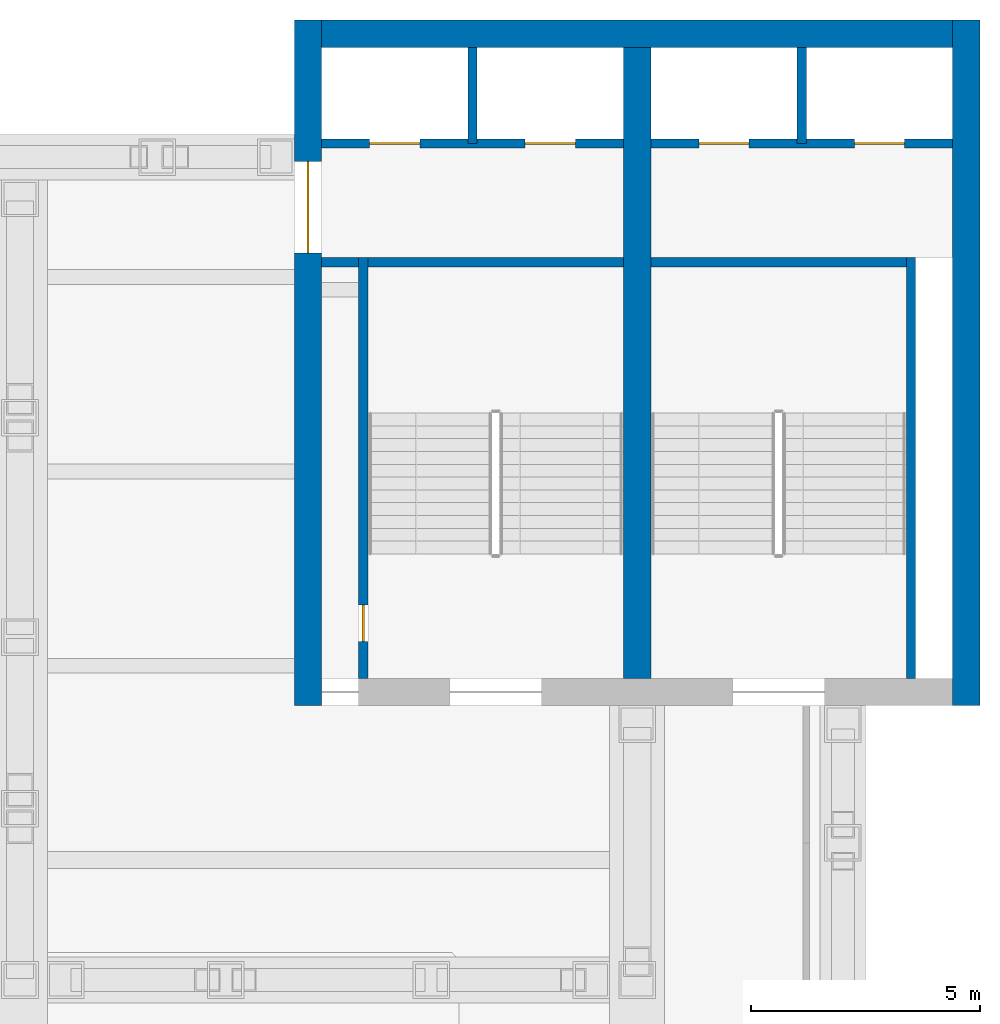
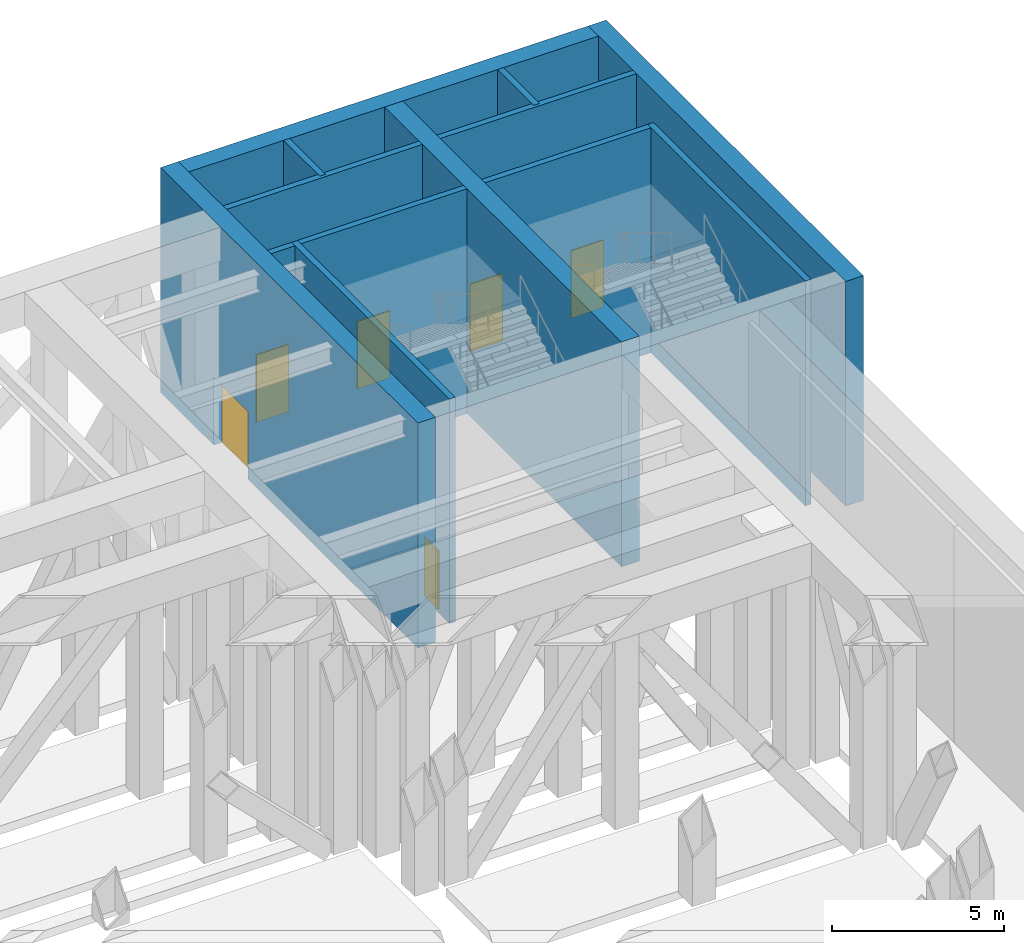
# One storey, part 11 of 20: 13 walls, 6 doors, 6 openings.
"""IFC4 building model written with IfcOpenShell, lengths in metres."""

from ifc_helpers import new_model, si_unit, direction, frame, frame_2d, origin, place, context, subcontext, project, spatial, rectangle, extrude, material, layer, layer_set, type_object, element, fill, save


model = new_model("IFC4")

# Units and contexts
model_context = context("Model", 3, precision=1e-05, world=origin(), true_north=direction((0.0, 1.0)))
body_context = subcontext(model_context, "Body", "Model", "MODEL_VIEW")
ifc_project = project(units=[si_unit("LENGTHUNIT", "METRE"), si_unit("AREAUNIT", "SQUARE_METRE"), si_unit("VOLUMEUNIT", "CUBIC_METRE"), si_unit("PLANEANGLEUNIT", "RADIAN"), si_unit("MASSUNIT", "GRAM", prefix="KILO")], contexts=[model_context])

# Site, building, storey
site_placement = place(None, origin())
site = spatial("IfcSite", under=ifc_project, at=site_placement, CompositionType="ELEMENT")
building_placement = place(site_placement, origin())
building = spatial("IfcBuilding", under=site, at=building_placement, Name="Corbelhall Arena Tower", CompositionType="ELEMENT")
storey_placement = place(building_placement, frame((0.0, 0.0, 52.0)))
storey = spatial("IfcBuildingStorey", under=building, at=storey_placement, Name="L07", CompositionType="ELEMENT", Elevation=52.0)

# Wall
ifc_material_1 = material(Name="Gypsum board on steel studs", Category="steel")
ifc_layer_1 = layer(ifc_material_1, 0.199951171875)
ifc_layer_set_1 = layer_set([ifc_layer_1], Name="AR-ROOM-WALL")
wall_type_1 = type_object("IfcWallType", Name="AR-ROOM-WALL", PredefinedType="PARTITIONING", material=ifc_layer_set_1)
wall_1_placement = place(storey_placement, frame((33.60009765625, 33.699951171875, 0.0), z_axis=(0.0, 0.0, 1.0), x_axis=(1.0, 0.0, 0.0)))
element("IfcWall", 1, at=wall_1_placement, inside=storey, type_object=wall_type_1, Name="Mechanical plant room 01 wall", PredefinedType="PARTITIONING", context=body_context, shape_type="SweptSolid", body=[
    extrude(rectangle(XDim=0.809814453125, YDim=0.199951171875, at=frame_2d((0.40478515625, 0.0))), origin(), (0.0, 0.0, 1.0), 8.0),
])

# Wall, openings, doors
ifc_material_2 = material(Name="Reinforced concrete C40/50", Category="concrete")
ifc_layer_2 = layer(ifc_material_2, 0.199951171875)
ifc_layer_set_2 = layer_set([ifc_layer_2], Name="AR-SHAFT-WALL")
wall_type_2 = type_object("IfcWallType", Name="AR-SHAFT-WALL", PredefinedType="SHEAR", material=ifc_layer_set_2)
wall_2_placement = place(storey_placement, frame((33.60009765625, 36.300048828125, 0.0), z_axis=(0.0, 0.0, 1.0), x_axis=(1.0, 0.0, 0.0)))
wall_2 = element("IfcWall", 2, at=wall_2_placement, inside=storey, type_object=wall_type_2, Name="Lift lobby wall NE", PredefinedType="SHEAR", context=body_context, shape_type="SweptSolid", body=[
    extrude(rectangle(XDim=6.599853515625, YDim=0.199951171875, at=frame_2d((3.2998046875, 0.0))), origin(), (0.0, 0.0, 1.0), 8.0),
])
opening_1_placement = place(wall_2_placement, frame((1.050048828125, 0.0, 0.0)))
opening_1 = element("IfcOpeningElement", 3, at=opening_1_placement, cuts=wall_2, Name="Opening LD0152", PredefinedType="OPENING", context=body_context, shape_type="SweptSolid", body=[
    extrude(rectangle(XDim=1.10009765625, YDim=2.39990234375, at=frame_2d((0.550048828125, 1.199951171875))), frame((0.0, 0.10009765625, 0.0), z_axis=(0.0, -1.0, 0.0), x_axis=(1.0, 0.0, 0.0)), (0.0, 0.0, 1.0), 0.199951171875),
])
opening_2_placement = place(wall_2_placement, frame((4.449951171875, 0.0, 0.0)))
opening_2 = element("IfcOpeningElement", 4, at=opening_2_placement, cuts=wall_2, Name="Opening LD0153", PredefinedType="OPENING", context=body_context, shape_type="SweptSolid", body=[
    extrude(rectangle(XDim=1.10009765625, YDim=2.39990234375, at=frame_2d((0.550048828125, 1.199951171875))), frame((0.0, 0.10009765625, 0.0), z_axis=(0.0, -1.0, 0.0), x_axis=(1.0, 0.0, 0.0)), (0.0, 0.0, 1.0), 0.199951171875),
])
ifc_material_3 = material(Name="Stainless steel A4", Category="steel")
door_type_1 = type_object("IfcDoorType", Name="AR-LANDING-DOOR", OperationType="DOUBLE_DOOR_SLIDING", PredefinedType="DOOR", material=ifc_material_3)
door_1_placement = place(opening_1_placement, origin())
door_1 = element("IfcDoor", 5, at=door_1_placement, inside=storey, type_object=door_type_1, Name="Landing door NE LF1 L07", OperationType="DOUBLE_DOOR_SLIDING", OverallHeight=2.39990234375, OverallWidth=1.10009765625, PredefinedType="DOOR", context=body_context, shape_type="SweptSolid", body=[
    extrude(rectangle(XDim=1.10009765625, YDim=2.39990234375, at=frame_2d((0.550048828125, 1.199951171875))), frame((0.0, 0.02490234375, 0.0), z_axis=(0.0, -1.0, 0.0), x_axis=(1.0, 0.0, 0.0)), (0.0, 0.0, 1.0), 0.050048828125),
])
fill(opening_1, door_1)
door_2_placement = place(opening_2_placement, origin())
door_2 = element("IfcDoor", 6, at=door_2_placement, inside=storey, type_object=door_type_1, Name="Landing door NE LF2 L07", OperationType="DOUBLE_DOOR_SLIDING", OverallHeight=2.39990234375, OverallWidth=1.10009765625, PredefinedType="DOOR", context=body_context, shape_type="SweptSolid", body=[
    extrude(rectangle(XDim=1.10009765625, YDim=2.39990234375, at=frame_2d((0.550048828125, 1.199951171875))), frame((0.0, 0.02490234375, 0.0), z_axis=(0.0, -1.0, 0.0), x_axis=(1.0, 0.0, 0.0)), (0.0, 0.0, 1.0), 0.050048828125),
])
fill(opening_2, door_2)

wall_3_placement = place(storey_placement, frame((40.800048828125, 36.300048828125, 0.0), z_axis=(0.0, 0.0, 1.0), x_axis=(1.0, 0.0, 0.0)))
wall_3 = element("IfcWall", 7, at=wall_3_placement, inside=storey, type_object=wall_type_2, Name="Lift lobby wall NE", PredefinedType="SHEAR", context=body_context, shape_type="SweptSolid", body=[
    extrude(rectangle(XDim=6.599853515625, YDim=0.199951171875, at=frame_2d((3.2998046875, 0.0))), origin(), (0.0, 0.0, 1.0), 8.0),
])
opening_3_placement = place(wall_3_placement, frame((1.050048828125, 0.0, 0.0)))
opening_3 = element("IfcOpeningElement", 8, at=opening_3_placement, cuts=wall_3, Name="Opening LD0154", PredefinedType="OPENING", context=body_context, shape_type="SweptSolid", body=[
    extrude(rectangle(XDim=1.10009765625, YDim=2.39990234375, at=frame_2d((0.550048828125, 1.199951171875))), frame((0.0, 0.10009765625, 0.0), z_axis=(0.0, -1.0, 0.0), x_axis=(1.0, 0.0, 0.0)), (0.0, 0.0, 1.0), 0.199951171875),
])
opening_4_placement = place(wall_3_placement, frame((4.449951171875, 0.0, 0.0)))
opening_4 = element("IfcOpeningElement", 9, at=opening_4_placement, cuts=wall_3, Name="Opening LD0155", PredefinedType="OPENING", context=body_context, shape_type="SweptSolid", body=[
    extrude(rectangle(XDim=1.10009765625, YDim=2.39990234375, at=frame_2d((0.550048828125, 1.199951171875))), frame((0.0, 0.10009765625, 0.0), z_axis=(0.0, -1.0, 0.0), x_axis=(1.0, 0.0, 0.0)), (0.0, 0.0, 1.0), 0.199951171875),
])
door_3_placement = place(opening_3_placement, origin())
door_3 = element("IfcDoor", 10, at=door_3_placement, inside=storey, type_object=door_type_1, Name="Landing door NE LF3 L07", OperationType="DOUBLE_DOOR_SLIDING", OverallHeight=2.39990234375, OverallWidth=1.10009765625, PredefinedType="DOOR", context=body_context, shape_type="SweptSolid", body=[
    extrude(rectangle(XDim=1.10009765625, YDim=2.39990234375, at=frame_2d((0.550048828125, 1.199951171875))), frame((0.0, 0.02490234375, 0.0), z_axis=(0.0, -1.0, 0.0), x_axis=(1.0, 0.0, 0.0)), (0.0, 0.0, 1.0), 0.050048828125),
])
fill(opening_3, door_3)
door_4_placement = place(opening_4_placement, origin())
door_4 = element("IfcDoor", 11, at=door_4_placement, inside=storey, type_object=door_type_1, Name="Landing door NE LF4 L07", OperationType="DOUBLE_DOOR_SLIDING", OverallHeight=2.39990234375, OverallWidth=1.10009765625, PredefinedType="DOOR", context=body_context, shape_type="SweptSolid", body=[
    extrude(rectangle(XDim=1.10009765625, YDim=2.39990234375, at=frame_2d((0.550048828125, 1.199951171875))), frame((0.0, 0.02490234375, 0.0), z_axis=(0.0, -1.0, 0.0), x_axis=(1.0, 0.0, 0.0)), (0.0, 0.0, 1.0), 0.050048828125),
])
fill(opening_4, door_4)

# Walls
for number, where, z_axis, x_axis, name in (
    (12, (36.89990234375, 36.300048828125, 0.0), (0.0, 0.0, 1.0), (0.0, 1.0, 0.0), "Shaft wall NE"),
    (13, (44.10009765625, 36.300048828125, 0.0), (0.0, 0.0, 1.0), (0.0, 1.0, 0.0), "Shaft wall NE"),
):
    element("IfcWall", number, at=place(storey_placement, frame(where, z_axis=z_axis, x_axis=x_axis)), inside=storey, type_object=wall_type_2, Name=name, PredefinedType="SHEAR", context=body_context, shape_type="SweptSolid", body=[
        extrude(rectangle(XDim=2.099853515625, YDim=0.199951171875, at=frame_2d((1.0498046875, 0.0))), origin(), (0.0, 0.0, 1.0), 8.0),
    ])

# Wall, opening, door
ifc_layer_3 = layer(ifc_material_2, 0.199951171875)
ifc_layer_set_3 = layer_set([ifc_layer_3], Name="AR-STAIR-WALL")
wall_type_3 = type_object("IfcWallType", Name="AR-STAIR-WALL", PredefinedType="SOLIDWALL", material=ifc_layer_set_3)
wall_4_placement = place(storey_placement, frame((34.510009765625, 24.60009765625, 0.0), z_axis=(0.0, 0.0, 1.0), x_axis=(0.0, 1.0, 0.0)))
wall_4 = element("IfcWall", 14, at=wall_4_placement, inside=storey, type_object=wall_type_3, Name="Stair AS1 wall", PredefinedType="SOLIDWALL", context=body_context, shape_type="SweptSolid", body=[
    extrude(rectangle(XDim=9.199951171875, YDim=0.199951171875, at=frame_2d((4.60009765625, 0.0))), origin(), (0.0, 0.0, 1.0), 8.0),
])
opening_5_placement = place(wall_4_placement, frame((0.800048828125, 0.0, 0.0)))
opening_5 = element("IfcOpeningElement", 15, at=opening_5_placement, cuts=wall_4, Name="Opening DA0468", PredefinedType="OPENING", context=body_context, shape_type="SweptSolid", body=[
    extrude(rectangle(XDim=0.800048828125, YDim=2.10009765625, at=frame_2d((0.39990234375, 1.050048828125))), frame((0.0, 0.10009765625, 0.0), z_axis=(0.0, -1.0, 0.0), x_axis=(1.0, 0.0, 0.0)), (0.0, 0.0, 1.0), 0.199951171875),
])
ifc_material_4 = material(Name="Steel", Category="steel")
door_type_2 = type_object("IfcDoorType", Name="AR-PLANT-DOOR", OperationType="SINGLE_SWING_LEFT", PredefinedType="DOOR", material=ifc_material_4)
door_5_placement = place(opening_5_placement, origin())
door_5 = element("IfcDoor", 16, at=door_5_placement, inside=storey, type_object=door_type_2, Name="Mechanical plant room 01 stair door", OperationType="SINGLE_SWING_LEFT", OverallHeight=2.10009765625, OverallWidth=0.800048828125, PredefinedType="DOOR", context=body_context, shape_type="SweptSolid", body=[
    extrude(rectangle(XDim=0.800048828125, YDim=2.10009765625, at=frame_2d((0.39990234375, 1.050048828125))), frame((0.0, 0.02490234375, 0.0), z_axis=(0.0, -1.0, 0.0), x_axis=(1.0, 0.0, 0.0)), (0.0, 0.0, 1.0), 0.050048828125),
])
fill(opening_5, door_5)

# Walls
wall_5_placement = place(storey_placement, frame((34.610107421875, 33.699951171875, 0.0), z_axis=(0.0, 0.0, 1.0), x_axis=(1.0, 0.0, 0.0)))
element("IfcWall", 17, at=wall_5_placement, inside=storey, type_object=wall_type_3, Name="Stair AS1 wall", PredefinedType="SOLIDWALL", context=body_context, shape_type="SweptSolid", body=[
    extrude(rectangle(XDim=5.58984375, YDim=0.199951171875, at=frame_2d((2.794921875, 0.0))), origin(), (0.0, 0.0, 1.0), 8.0),
])
wall_6_placement = place(storey_placement, frame((46.489990234375, 24.60009765625, 0.0), z_axis=(0.0, 0.0, 1.0), x_axis=(0.0, 1.0, 0.0)))
element("IfcWall", 18, at=wall_6_placement, inside=storey, type_object=wall_type_3, Name="Stair AS2 wall", PredefinedType="SOLIDWALL", context=body_context, shape_type="SweptSolid", body=[
    extrude(rectangle(XDim=9.199951171875, YDim=0.199951171875, at=frame_2d((4.60009765625, 0.0))), origin(), (0.0, 0.0, 1.0), 8.0),
])
wall_7_placement = place(storey_placement, frame((40.800048828125, 33.699951171875, 0.0), z_axis=(0.0, 0.0, 1.0), x_axis=(1.0, 0.0, 0.0)))
element("IfcWall", 19, at=wall_7_placement, inside=storey, type_object=wall_type_3, Name="Stair AS2 wall", PredefinedType="SOLIDWALL", context=body_context, shape_type="SweptSolid", body=[
    extrude(rectangle(XDim=5.58984375, YDim=0.199951171875, at=frame_2d((2.794921875, 0.0))), origin(), (0.0, 0.0, 1.0), 8.0),
])
ifc_material_5 = material(Name="Concrete C80/95", Category="concrete")
ifc_layer_4 = layer(ifc_material_5, 0.60009765625)
ifc_layer_set_4 = layer_set([ifc_layer_4], Name="PO-CORE-WALL")
wall_type_4 = type_object("IfcWallType", Name="PO-CORE-WALL", PredefinedType="SHEAR", material=ifc_layer_set_4)
wall_8_placement = place(storey_placement, frame((33.60009765625, 38.699951171875, 0.0), z_axis=(0.0, 0.0, 1.0), x_axis=(1.0, 0.0, 0.0)))
element("IfcWall", 20, at=wall_8_placement, inside=storey, type_object=wall_type_4, Name="CORE NE WALL N L07", PredefinedType="SHEAR", context=body_context, shape_type="SweptSolid", body=[
    extrude(rectangle(XDim=13.7998046875, YDim=0.60009765625, at=frame_2d((6.89990234375, 0.0))), origin(), (0.0, 0.0, 1.0), 8.0),
])

# Wall, opening, door
wall_9_placement = place(storey_placement, frame((33.300048828125, 24.0, 0.0), z_axis=(0.0, 0.0, 1.0), x_axis=(0.0, 1.0, 0.0)))
wall_9 = element("IfcWall", 21, at=wall_9_placement, inside=storey, type_object=wall_type_4, Name="CORE NE WALL W L07", PredefinedType="SHEAR", context=body_context, shape_type="SweptSolid", body=[
    extrude(rectangle(XDim=15.0, YDim=0.60009765625, at=frame_2d((7.5, 0.0))), origin(), (0.0, 0.0, 1.0), 8.0),
])
opening_6_placement = place(wall_9_placement, frame((9.89990234375, 0.0, 0.0)))
opening_6 = element("IfcOpeningElement", 22, at=opening_6_placement, cuts=wall_9, Name="Opening DA0156", PredefinedType="OPENING", context=body_context, shape_type="SweptSolid", body=[
    extrude(rectangle(XDim=2.0, YDim=2.39990234375, at=frame_2d((1.0, 1.199951171875))), frame((0.0, 0.300048828125, 0.0), z_axis=(0.0, -1.0, 0.0), x_axis=(1.0, 0.0, 0.0)), (0.0, 0.0, 1.0), 0.60009765625),
])
ifc_material_6 = material(Name="Steel and glass", Category="steel")
door_type_3 = type_object("IfcDoorType", Name="AR-CORE-DOOR", OperationType="DOUBLE_DOOR_SINGLE_SWING", PredefinedType="DOOR", material=ifc_material_6)
door_6_placement = place(opening_6_placement, origin())
door_6 = element("IfcDoor", 23, at=door_6_placement, inside=storey, type_object=door_type_3, Name="Core lobby door NE L07", OperationType="DOUBLE_DOOR_SINGLE_SWING", OverallHeight=2.39990234375, OverallWidth=2.0, PredefinedType="DOOR", context=body_context, shape_type="SweptSolid", body=[
    extrude(rectangle(XDim=2.0, YDim=2.39990234375, at=frame_2d((1.0, 1.199951171875))), frame((0.0, 0.02490234375, 0.0), z_axis=(0.0, -1.0, 0.0), x_axis=(1.0, 0.0, 0.0)), (0.0, 0.0, 1.0), 0.050048828125),
])
fill(opening_6, door_6)

# Walls
wall_10_placement = place(storey_placement, frame((47.699951171875, 24.0, 0.0), z_axis=(0.0, 0.0, 1.0), x_axis=(0.0, 1.0, 0.0)))
element("IfcWall", 24, at=wall_10_placement, inside=storey, type_object=wall_type_4, Name="CORE NE WALL E L07", PredefinedType="SHEAR", context=body_context, shape_type="SweptSolid", body=[
    extrude(rectangle(XDim=15.0, YDim=0.60009765625, at=frame_2d((7.5, 0.0))), origin(), (0.0, 0.0, 1.0), 8.0),
])
wall_11_placement = place(storey_placement, frame((40.5, 24.60009765625, 0.0), z_axis=(0.0, 0.0, 1.0), x_axis=(0.0, 1.0, 0.0)))
element("IfcWall", 25, at=wall_11_placement, inside=storey, type_object=wall_type_4, Name="CORE NE WALL D L07", PredefinedType="SHEAR", context=body_context, shape_type="SweptSolid", body=[
    extrude(rectangle(XDim=13.7998046875, YDim=0.60009765625, at=frame_2d((6.89990234375, 0.0))), origin(), (0.0, 0.0, 1.0), 8.0),
])

save(model, "model.ifc")
